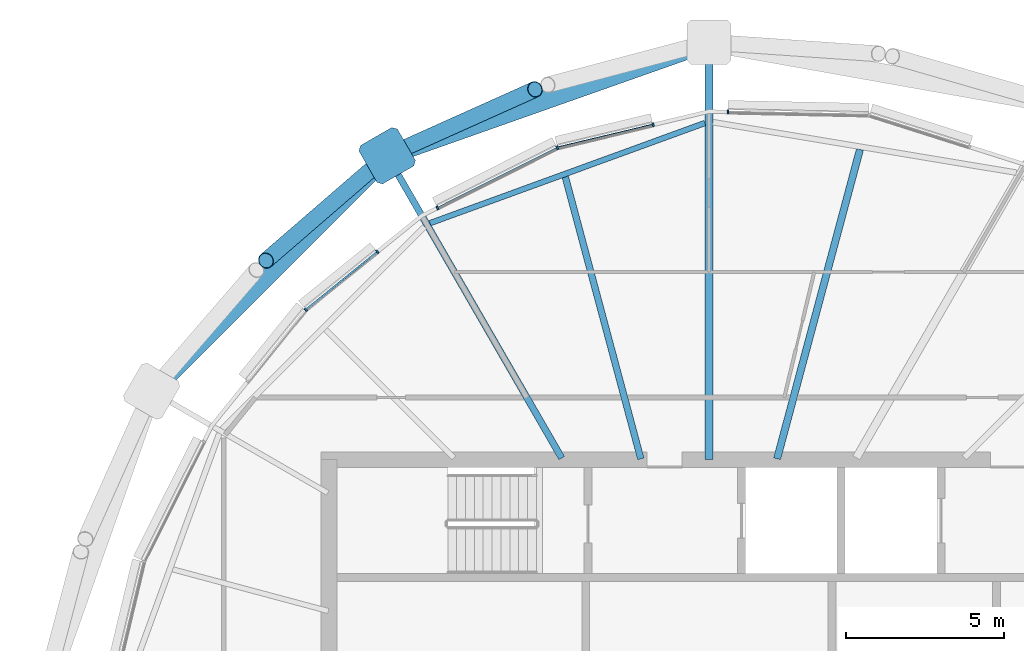
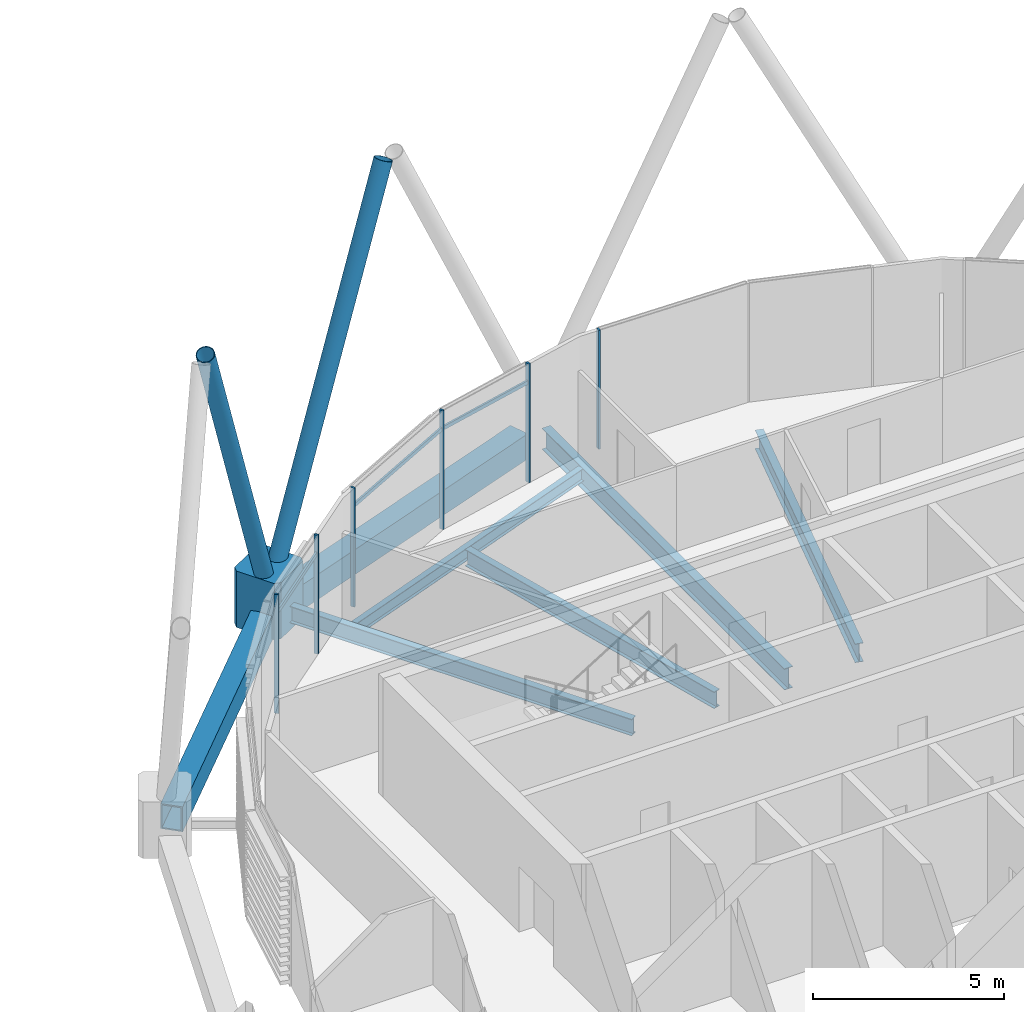
# One storey, part 15 of 31: 12 members, 7 beams, 1 element without a shape of its own.
"""IFC4 building model written with IfcOpenShell, lengths in metres."""

from ifc_helpers import new_model, si_unit, direction, frame, origin, origin_2d, place, context, subcontext, project, spatial, polyline, rectangle, hollow_rectangle, hollow_circle, i_section, outline, extrude, material, material_profile, profile_set, type_object, element, aggregate, save


model = new_model("IFC4")

# Units and contexts
model_context = context("Model", 3, precision=1e-05, world=origin(), true_north=direction((0.0, 1.0)))
body_context = subcontext(model_context, "Body", "Model", "MODEL_VIEW")
ifc_project = project(units=[si_unit("LENGTHUNIT", "METRE"), si_unit("AREAUNIT", "SQUARE_METRE"), si_unit("VOLUMEUNIT", "CUBIC_METRE"), si_unit("PLANEANGLEUNIT", "RADIAN"), si_unit("MASSUNIT", "GRAM", prefix="KILO")], contexts=[model_context])

# Site, building, storey
site_placement = place(None, origin())
site = spatial("IfcSite", under=ifc_project, at=site_placement, CompositionType="ELEMENT")
building_placement = place(site_placement, origin())
building = spatial("IfcBuilding", under=site, at=building_placement, Name="Rimbun Link Towers", CompositionType="ELEMENT")
storey_placement = place(building_placement, frame((0.0, 0.0, 244.699951171875)))
storey = spatial("IfcBuildingStorey", under=building, at=storey_placement, Name="L60", CompositionType="ELEMENT", Elevation=244.699951171875)

# Curtain wall, members
ifc_material_1 = material(Name="Aluminium 6063-T6 and low-iron glass", Category="aluminium")
curtain_wall_type = type_object("IfcCurtainWallType", Name="CW1-Z4 unitised vision wall (zone 4)", PredefinedType="NOTDEFINED", material=ifc_material_1)
curtain_wall_placement = place(storey_placement, origin())
curtain_wall = element("IfcCurtainWall", 1, at=curtain_wall_placement, inside=storey, type_object=curtain_wall_type, Name="CW1 L60 T2", PredefinedType="NOTDEFINED")
ifc_material_2 = material(Name="Aluminium 6063-T6", Category="aluminium")
ifc_material_profile_1 = material_profile(ifc_material_2, rectangle(XDim=0.1201171875, YDim=0.06005859375, at=origin_2d()), Name="MULLION 60X120")
ifc_profile_set_1 = profile_set([ifc_material_profile_1], Name="Aluminium 6063-T6")
member_type_1 = type_object("IfcMemberType", Name="CW1 mullion 60X120", PredefinedType="MULLION", material=ifc_profile_set_1)
member_1_placement = place(storey_placement, frame((32.35107421875, 18.986572265625, 0.0), z_axis=(0.0, 0.0, 1.0), x_axis=(0.021060266635, 0.999778207989, 0.0)))
member_1 = element("IfcMember", 2, at=member_1_placement, type_object=member_type_1, Name="CW1 mullion", PredefinedType="MULLION", context=body_context, shape_type="SweptSolid", body=[
    extrude(rectangle(XDim=0.1201171875, YDim=0.06005859375, at=origin_2d()), origin(), (0.0, 0.0, 1.0), 3.800048828125),
])
member_2_placement = place(storey_placement, frame((26.960205078125, 17.85498046875, 0.0), z_axis=(0.0, 0.0, 1.0), x_axis=(-0.342965326709, 0.939348063646, 0.0)))
member_2 = element("IfcMember", 3, at=member_2_placement, type_object=member_type_1, Name="CW1 mullion", PredefinedType="MULLION", context=body_context, shape_type="SweptSolid", body=[
    extrude(rectangle(XDim=0.1201171875, YDim=0.06005859375, at=origin_2d()), origin(), (0.0, 0.0, 1.0), 3.800048828125),
])
member_3_placement = place(storey_placement, frame((29.9853515625, 18.578857421875, 0.0), z_axis=(0.0, 0.0, 1.0), x_axis=(-0.232604664363, 0.972571370192, 0.0)))
member_3 = element("IfcMember", 4, at=member_3_placement, type_object=member_type_1, Name="CW1 mullion", PredefinedType="MULLION", context=body_context, shape_type="SweptSolid", body=[
    extrude(rectangle(XDim=0.1201171875, YDim=0.06005859375, at=origin_2d()), origin(), (0.0, 0.0, 1.0), 3.800048828125),
])
member_4_placement = place(storey_placement, frame((23.17626953125, 15.955078125, 0.0), z_axis=(0.0, 0.0, 1.0), x_axis=(-0.4487702901, 0.893647148893, 0.0)))
member_4 = element("IfcMember", 5, at=member_4_placement, type_object=member_type_1, Name="CW1 mullion", PredefinedType="MULLION", context=body_context, shape_type="SweptSolid", body=[
    extrude(rectangle(XDim=0.1201171875, YDim=0.06005859375, at=origin_2d()), origin(), (0.0, 0.0, 1.0), 3.800048828125),
])
member_5_placement = place(storey_placement, frame((19.0126953125, 12.7373046875, 0.0), z_axis=(0.0, 0.0, 1.0), x_axis=(-0.707106781187, 0.707106781187, 0.0)))
member_5 = element("IfcMember", 6, at=member_5_placement, type_object=member_type_1, Name="CW1 mullion", PredefinedType="MULLION", context=body_context, shape_type="SweptSolid", body=[
    extrude(rectangle(XDim=0.1201171875, YDim=0.06005859375, at=origin_2d()), origin(), (0.0, 0.0, 1.0), 3.800048828125),
])
member_6_placement = place(storey_placement, frame((21.27490234375, 14.56884765625, 0.0), z_axis=(0.0, 0.0, 1.0), x_axis=(-0.629159092045, 0.777276551105, 0.0)))
member_6 = element("IfcMember", 7, at=member_6_placement, type_object=member_type_1, Name="CW1 mullion", PredefinedType="MULLION", context=body_context, shape_type="SweptSolid", body=[
    extrude(rectangle(XDim=0.1201171875, YDim=0.06005859375, at=origin_2d()), origin(), (0.0, 0.0, 1.0), 3.800048828125),
])
ifc_material_3 = material(Name="Aluminium 6063-T6", Category="aluminium")
ifc_material_profile_2 = material_profile(ifc_material_3, rectangle(XDim=0.06005859375, YDim=0.1201171875, at=origin_2d()), Name="TRANSOM 60X120")
ifc_profile_set_2 = profile_set([ifc_material_profile_2], Name="Aluminium 6063-T6")
member_type_2 = type_object("IfcMemberType", Name="CW1 transom 60X120", PredefinedType="USERDEFINED", material=ifc_profile_set_2)
member_7_placement = place(storey_placement, frame((26.99658203125, 17.862060546875, 3.199951171875), z_axis=(0.972587174135, 0.232538574665, 0.0), x_axis=(-0.232538574665, 0.972587174135, 0.0)))
member_7 = element("IfcMember", 8, at=member_7_placement, type_object=member_type_2, Name="CW1 transom", ObjectType="TRANSOM", PredefinedType="USERDEFINED", context=body_context, shape_type="SweptSolid", body=[
    extrude(rectangle(XDim=0.06005859375, YDim=0.1201171875, at=origin_2d()), origin(), (0.0, 0.0, 1.0), 3.043701171875),
])
member_8_placement = place(storey_placement, frame((23.2041015625, 15.966796875, 3.199951171875), z_axis=(0.893640735388, 0.448783061239, 0.0), x_axis=(-0.448783061239, 0.893640735388, 0.0)))
member_8 = element("IfcMember", 9, at=member_8_placement, type_object=member_type_2, Name="CW1 transom", ObjectType="TRANSOM", PredefinedType="USERDEFINED", context=body_context, shape_type="SweptSolid", body=[
    extrude(rectangle(XDim=0.06005859375, YDim=0.1201171875, at=origin_2d()), origin(), (0.0, 0.0, 1.0), 4.1669921875),
])
member_9_placement = place(storey_placement, frame((19.0419921875, 12.7587890625, 3.199951171875), z_axis=(0.777254865339, 0.629185882158, 0.0), x_axis=(-0.629185882158, 0.777254865339, 0.0)))
member_9 = element("IfcMember", 10, at=member_9_placement, type_object=member_type_2, Name="CW1 transom", ObjectType="TRANSOM", PredefinedType="USERDEFINED", context=body_context, shape_type="SweptSolid", body=[
    extrude(rectangle(XDim=0.06005859375, YDim=0.1201171875, at=origin_2d()), origin(), (0.0, 0.0, 1.0), 2.84423828125),
])
aggregate(curtain_wall, [member_1, member_2, member_3, member_4, member_5, member_6, member_7, member_8, member_9])

# Members
ifc_material_4 = material(Name="Steel S355J2H", Category="steel")
ifc_material_profile_3 = material_profile(ifc_material_4, hollow_circle(Radius=0.25390625, WallThickness=0.02001953125, at=origin_2d()), Name="Diagrid diagonal CHS 508x20")
ifc_profile_set_3 = profile_set([ifc_material_profile_3], Name="Steel S355J2H")
member_type_3 = type_object("IfcMemberType", Name="Diagrid diagonal CHS 508x20", PredefinedType="BRACE", material=ifc_profile_set_3)
member_10_placement = place(storey_placement, frame((21.77978515625, 17.68994140625, 0.453125), z_axis=(0.386383016953, 0.17334862349, 0.905901991909), x_axis=(-0.409335961337, 0.912383729993, 0.0)))
element("IfcMember", 11, at=member_10_placement, inside=storey, type_object=member_type_3, Name="Diagrid diagonal T2 L60-L63 05a", PredefinedType="BRACE", context=body_context, shape_type="SweptSolid", body=[
    extrude(hollow_circle(Radius=0.25390625, WallThickness=0.02001953125, at=origin_2d()), origin(), (0.0, 0.0, 1.0), 11.583984375),
])
member_11_placement = place(storey_placement, frame((21.427978515625, 17.4658203125, 0.453857421875), z_axis=(-0.317565800942, -0.274718280653, 0.907569186534), x_axis=(0.654242906956, -0.756284482651, 0.0)))
element("IfcMember", 12, at=member_11_placement, inside=storey, type_object=member_type_3, Name="Diagrid diagonal T2 L60-L63 05b", PredefinedType="BRACE", context=body_context, shape_type="SweptSolid", body=[
    extrude(hollow_circle(Radius=0.25390625, WallThickness=0.02001953125, at=origin_2d()), origin(), (0.0, 0.0, 1.0), 11.56103515625),
])
ifc_material_5 = material(Name="Cast steel G20Mn5+QT, Rp0.2 300 MPa", Category="steel")
ifc_material_profile_4 = material_profile(ifc_material_5, outline(polyline([(0.699951171875, -0.570068359375), (0.699951171875, 0.570068359375), (0.570068359375, 0.699951171875), (-0.570068359375, 0.699951171875), (-0.699951171875, 0.570068359375), (-0.699951171875, -0.570068359375), (-0.570068359375, -0.699951171875), (0.570068359375, -0.699951171875), (0.699951171875, -0.570068359375)])), Name="NODE 1400x1400")
ifc_profile_set_4 = profile_set([ifc_material_profile_4], Name="Cast steel G20Mn5+QT, Rp0.2 300 MPa")
member_type_4 = type_object("IfcMemberType", Name="Diagrid node cast 1400", PredefinedType="USERDEFINED", material=ifc_profile_set_4)
member_12_placement = place(storey_placement, frame((21.586669921875, 17.603271484375, -0.89990234375), z_axis=(0.0, 0.0, 1.0), x_axis=(-0.5, 0.866025403784, 0.0)))
element("IfcMember", 13, at=member_12_placement, inside=storey, type_object=member_type_4, Name="Diagrid node L60 05", ObjectType="Diagrid node", PredefinedType="USERDEFINED", context=body_context, shape_type="SweptSolid", body=[
    extrude(outline(polyline([(0.699951171875, -0.570068359375), (0.699951171875, 0.570068359375), (0.570068359375, 0.699951171875), (-0.570068359375, 0.699951171875), (-0.699951171875, 0.570068359375), (-0.699951171875, -0.570068359375), (-0.570068359375, -0.699951171875), (0.570068359375, -0.699951171875), (0.699951171875, -0.570068359375)])), origin(), (0.0, 0.0, 1.0), 1.800048828125),
])

# Beams
ifc_material_6 = material(Name="Steel S355J2", Category="steel")
ifc_material_profile_5 = material_profile(ifc_material_6, hollow_rectangle(XDim=0.60009765625, YDim=0.800048828125, WallThickness=0.0400390625, at=origin_2d()), Name="Exoskeleton ring girder BOX 600x800x40")
ifc_profile_set_5 = profile_set([ifc_material_profile_5], Name="Steel S355J2")
beam_type_1 = type_object("IfcBeamType", Name="Exoskeleton ring girder BOX 600x800x40", PredefinedType="BEAM", material=ifc_profile_set_5)
beam_1_placement = place(storey_placement, frame((31.08984375, 20.956298828125, -0.56005859375), z_axis=(-0.943022052225, -0.3327302346, 0.0), x_axis=(0.3327302346, -0.943022052225, 0.0)))
element("IfcBeam", 14, at=beam_1_placement, inside=storey, type_object=beam_type_1, Name="Exoskeleton ring girder L60 01", PredefinedType="BEAM", context=body_context, shape_type="SweptSolid", body=[
    extrude(hollow_rectangle(XDim=0.60009765625, YDim=0.800048828125, WallThickness=0.0400390625, at=origin_2d()), origin(), (0.0, 0.0, 1.0), 9.377197265625),
])
beam_2_placement = place(storey_placement, frame((21.091796875, 17.1083984375, -0.56005859375), z_axis=(-0.707106781187, -0.707106781187, 0.0), x_axis=(0.707106781187, -0.707106781187, 0.0)))
element("IfcBeam", 15, at=beam_2_placement, inside=storey, type_object=beam_type_1, Name="Exoskeleton ring girder L60 02", PredefinedType="BEAM", context=body_context, shape_type="SweptSolid", body=[
    extrude(hollow_rectangle(XDim=0.60009765625, YDim=0.800048828125, WallThickness=0.0400390625, at=origin_2d()), origin(), (0.0, 0.0, 1.0), 9.1220703125),
])
ifc_material_7 = material(Name="Steel S355J2", Category="steel")
ifc_material_profile_6 = material_profile(ifc_material_7, i_section(OverallWidth=0.177978515625, OverallDepth=0.406494140625, WebThickness=0.0078125, FlangeThickness=0.0126953125, at=origin_2d()), Name="UB 406x178x60")
ifc_profile_set_6 = profile_set([ifc_material_profile_6], Name="Steel S355J2")
beam_type_2 = type_object("IfcBeamType", Name="UB 406x178x60", PredefinedType="BEAM", material=ifc_profile_set_6)
beam_3_placement = place(storey_placement, frame((31.622314453125, 18.635498046875, -0.34326171875), z_axis=(-0.939590396838, -0.342300870827, 0.0), x_axis=(0.342300870827, -0.939590396838, 0.0)))
element("IfcBeam", 16, at=beam_3_placement, inside=storey, type_object=beam_type_2, Name="Edge beam T2 L60 03-05", PredefinedType="BEAM", context=body_context, shape_type="SweptSolid", body=[
    extrude(i_section(OverallWidth=0.177978515625, OverallDepth=0.406494140625, WebThickness=0.0078125, FlangeThickness=0.0126953125, at=origin_2d()), origin(), (0.0, 0.0, 1.0), 9.241455078125),
])
ifc_material_8 = material(Name="Steel S355J2", Category="steel")
ifc_material_profile_7 = material_profile(ifc_material_8, i_section(OverallWidth=0.209228515625, OverallDepth=0.533203125, WebThickness=0.010009765625, FlangeThickness=0.015625, at=origin_2d()), Name="UB 533x210x92")
ifc_profile_set_7 = profile_set([ifc_material_profile_7], Name="Steel S355J2")
beam_type_3 = type_object("IfcBeamType", Name="UB 533x210x92", PredefinedType="BEAM", material=ifc_profile_set_7)
beam_4_placement = place(storey_placement, frame((29.598876953125, 8.028076171875, -0.406494140625), z_axis=(-0.25882609299, 0.965923937786, 0.0), x_axis=(-0.965923937786, -0.25882609299, 0.0)))
element("IfcBeam", 17, at=beam_4_placement, inside=storey, type_object=beam_type_3, Name="Radial beam T2 L60 04", PredefinedType="BEAM", context=body_context, shape_type="SweptSolid", body=[
    extrude(i_section(OverallWidth=0.209228515625, OverallDepth=0.533203125, WebThickness=0.010009765625, FlangeThickness=0.015625, at=origin_2d()), origin(), (0.0, 0.0, 1.0), 9.219482421875),
])
beam_5_placement = place(storey_placement, frame((27.1005859375, 8.05322265625, -0.406494140625), z_axis=(-0.500007505788, 0.866021070272, 0.0), x_axis=(-0.866021070272, -0.500007505788, 0.0)))
element("IfcBeam", 18, at=beam_5_placement, inside=storey, type_object=beam_type_3, Name="Radial beam T2 L60 05", PredefinedType="BEAM", context=body_context, shape_type="SweptSolid", body=[
    extrude(i_section(OverallWidth=0.209228515625, OverallDepth=0.533203125, WebThickness=0.010009765625, FlangeThickness=0.015625, at=origin_2d()), origin(), (0.0, 0.0, 1.0), 10.527587890625),
])
ifc_material_9 = material(Name="Steel S355J2", Category="steel")
ifc_material_profile_8 = material_profile(ifc_material_9, i_section(OverallWidth=0.2275390625, OverallDepth=0.6025390625, WebThickness=0.010498046875, FlangeThickness=0.014892578125, at=origin_2d()), Name="UB 610x229x101")
ifc_profile_set_8 = profile_set([ifc_material_profile_8], Name="Steel S355J2")
beam_type_4 = type_object("IfcBeamType", Name="UB 610x229x101", PredefinedType="BEAM", material=ifc_profile_set_8)
beam_6_placement = place(storey_placement, frame((33.901611328125, 8.030517578125, -0.441162109375), z_axis=(0.258816538161, 0.965926498018, 0.0), x_axis=(-0.965926498018, 0.258816538161, 0.0)))
element("IfcBeam", 19, at=beam_6_placement, inside=storey, type_object=beam_type_4, Name="Radial beam T2 L60 02", PredefinedType="BEAM", context=body_context, shape_type="SweptSolid", body=[
    extrude(i_section(OverallWidth=0.2275390625, OverallDepth=0.6025390625, WebThickness=0.010498046875, FlangeThickness=0.014892578125, at=origin_2d()), origin(), (0.0, 0.0, 1.0), 10.112060546875),
])
ifc_material_10 = material(Name="Steel S355J2", Category="steel")
ifc_material_profile_9 = material_profile(ifc_material_10, i_section(OverallWidth=0.253662109375, OverallDepth=0.68359375, WebThickness=0.012451171875, FlangeThickness=0.01904296875, at=origin_2d()), Name="UB 686x254x140")
ifc_profile_set_9 = profile_set([ifc_material_profile_9], Name="Steel S355J2")
beam_type_5 = type_object("IfcBeamType", Name="UB 686x254x140", PredefinedType="BEAM", material=ifc_profile_set_9)
beam_7_placement = place(storey_placement, frame((31.75, 8.0009765625, -0.481689453125), z_axis=(0.0, 1.0, 0.0), x_axis=(-1.0, 0.0, 0.0)))
element("IfcBeam", 20, at=beam_7_placement, inside=storey, type_object=beam_type_5, Name="Radial beam T2 L60 03", PredefinedType="BEAM", context=body_context, shape_type="SweptSolid", body=[
    extrude(i_section(OverallWidth=0.253662109375, OverallDepth=0.68359375, WebThickness=0.012451171875, FlangeThickness=0.01904296875, at=origin_2d()), origin(), (0.0, 0.0, 1.0), 12.688232421875),
])

save(model, "model.ifc")
